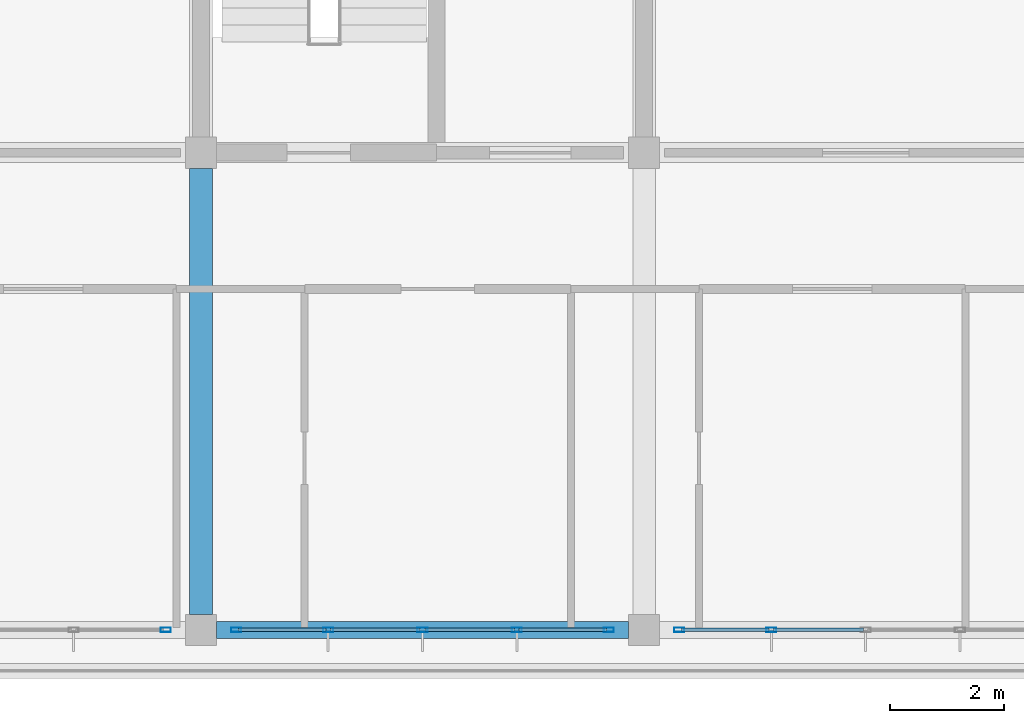
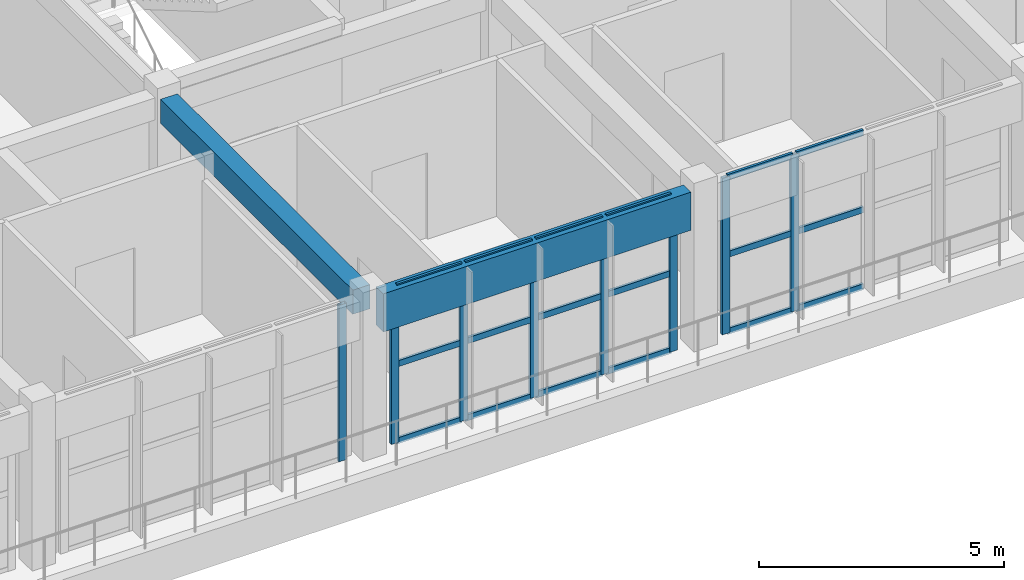
# One storey, part 13 of 44: 26 members, 2 beams, 3 elements without a shape of their own.
"""IFC4 building model written with IfcOpenShell, lengths in metres."""

from ifc_helpers import new_model, si_unit, direction, frame, origin, origin_2d, place, context, subcontext, project, spatial, rectangle, hollow_rectangle, extrude, material, layer, layer_set, material_profile, profile_set, type_object, element, aggregate, save


model = new_model("IFC4")

# Units and contexts
model_context = context("Model", 3, precision=1e-05, world=origin(), true_north=direction((0.0, 1.0)))
body_context = subcontext(model_context, "Body", "Model", "MODEL_VIEW")
ifc_project = project(units=[si_unit("LENGTHUNIT", "METRE"), si_unit("AREAUNIT", "SQUARE_METRE"), si_unit("VOLUMEUNIT", "CUBIC_METRE"), si_unit("PLANEANGLEUNIT", "RADIAN"), si_unit("MASSUNIT", "GRAM", prefix="KILO")], contexts=[model_context])

# Site, building, storey
site_placement = place(None, origin())
site = spatial("IfcSite", under=ifc_project, at=site_placement, CompositionType="ELEMENT")
building_placement = place(site_placement, origin())
building = spatial("IfcBuilding", under=site, at=building_placement, Name="Zizhar Promenade General Hospital", CompositionType="ELEMENT")
storey_placement = place(building_placement, frame((0.0, 0.0, 34.800048828125)))
storey = spatial("IfcBuildingStorey", under=building, at=storey_placement, Name="L08", CompositionType="ELEMENT", Elevation=34.800048828125)

# Beams
ifc_material_1 = material(Name="Precast concrete C40/50", Category="concrete")
ifc_material_profile_1 = material_profile(ifc_material_1, rectangle(XDim=0.300048828125, YDim=0.949951171875, at=origin_2d()))
ifc_profile_set_1 = profile_set([ifc_material_profile_1], Name="Precast concrete C40/50")
beam_type_1 = type_object("IfcBeamType", Name="BM-PC-BAND950", PredefinedType="SPANDREL", material=ifc_profile_set_1)
beam_1_placement = place(storey_placement, frame((78.27490234375, 0.0, 3.43505859375), z_axis=(1.0, 0.0, 0.0), x_axis=(0.0, 1.0, 0.0)))
element("IfcBeam", 1, at=beam_1_placement, inside=storey, type_object=beam_type_1, Name="Grid Beam X L08 (10-0)", PredefinedType="SPANDREL", context=body_context, shape_type="SweptSolid", body=[
    extrude(rectangle(XDim=0.300048828125, YDim=0.949951171875, at=origin_2d()), origin(), (0.0, 0.0, 1.0), 7.25),
])
ifc_material_2 = material(Name="Concrete C35/45", Category="concrete")
ifc_material_profile_2 = material_profile(ifc_material_2, rectangle(XDim=0.39990234375, YDim=0.60009765625, at=origin_2d()))
ifc_profile_set_2 = profile_set([ifc_material_profile_2], Name="Concrete C35/45")
beam_type_2 = type_object("IfcBeamType", Name="BM-RC-400x600", PredefinedType="JOIST", material=ifc_profile_set_2)
beam_2_placement = place(storey_placement, frame((78.0, 0.27490234375, 3.60986328125), z_axis=(0.0, 1.0, 0.0), x_axis=(-1.0, 0.0, 0.0)))
element("IfcBeam", 2, at=beam_2_placement, inside=storey, type_object=beam_type_2, Name="Grid Beam Y L08 (10-0)", PredefinedType="JOIST", context=body_context, shape_type="SweptSolid", body=[
    extrude(rectangle(XDim=0.39990234375, YDim=0.60009765625, at=origin_2d()), origin(), (0.0, 0.0, 1.0), 7.85009765625),
])

# Curtain wall, members
ifc_material_3 = material(Name="Anodised aluminium 6063-T6 and low-E glass", Category="aluminium")
ifc_layer = layer(ifc_material_3, 0.159912109375)
ifc_layer_set = layer_set([ifc_layer], Name="Anodised aluminium 6063-T6 and low-E glass")
curtain_wall_type = type_object("IfcCurtainWallType", Name="CW-WARD-RIB", PredefinedType="NOTDEFINED", material=ifc_layer_set)
curtain_wall_1_placement = place(storey_placement, origin())
curtain_wall_1 = element("IfcCurtainWall", 3, at=curtain_wall_1_placement, inside=storey, type_object=curtain_wall_type, Name="Ward Ribbon Curtain Wall L08-17-1", PredefinedType="NOTDEFINED")
ifc_material_4 = material(Name="Anodised aluminium 6063-T6", Category="aluminium")
ifc_material_profile_3 = material_profile(ifc_material_4, hollow_rectangle(XDim=0.080078125, YDim=0.179931640625, WallThickness=0.0048828125, at=origin_2d()))
ifc_profile_set_3 = profile_set([ifc_material_profile_3], Name="Anodised aluminium 6063-T6")
member_type_1 = type_object("IfcMemberType", Name="CWM-ALU-180x80", PredefinedType="MULLION", material=ifc_profile_set_3)
member_1_placement = place(storey_placement, frame((88.0400390625, 0.0, 0.0), z_axis=(0.0, 0.0, 1.0), x_axis=(0.0, -1.0, 0.0)))
member_1 = element("IfcMember", 4, at=member_1_placement, type_object=member_type_1, Name="CW-13 mullion 4", PredefinedType="MULLION", context=body_context, shape_type="SweptSolid", body=[
    extrude(hollow_rectangle(XDim=0.080078125, YDim=0.179931640625, WallThickness=0.0048828125, at=origin_2d()), origin(), (0.0, 0.0, 1.0), 3.89990234375),
])
member_2_placement = place(storey_placement, frame((86.419921875, 0.0, 0.0), z_axis=(0.0, 0.0, 1.0), x_axis=(0.0, -1.0, 0.0)))
member_2 = element("IfcMember", 5, at=member_2_placement, type_object=member_type_1, Name="CW-13 mullion 5", PredefinedType="MULLION", context=body_context, shape_type="SweptSolid", body=[
    extrude(hollow_rectangle(XDim=0.080078125, YDim=0.179931640625, WallThickness=0.0048828125, at=origin_2d()), origin(), (0.0, 0.0, 1.0), 3.89990234375),
])

curtain_wall_2_placement = place(storey_placement, origin())
curtain_wall_2 = element("IfcCurtainWall", 6, at=curtain_wall_2_placement, inside=storey, type_object=curtain_wall_type, Name="Ward Ribbon Curtain Wall L08-17-2", PredefinedType="NOTDEFINED")
member_3_placement = place(storey_placement, frame((85.179931640625, 0.0, 0.0), z_axis=(0.0, 0.0, 1.0), x_axis=(0.0, -1.0, 0.0)))
member_3 = element("IfcMember", 7, at=member_3_placement, type_object=member_type_1, Name="CW-13 mullion 1", PredefinedType="MULLION", context=body_context, shape_type="SweptSolid", body=[
    extrude(hollow_rectangle(XDim=0.080078125, YDim=0.179931640625, WallThickness=0.0048828125, at=origin_2d()), origin(), (0.0, 0.0, 1.0), 3.89990234375),
])
member_4_placement = place(storey_placement, frame((83.56005859375, 0.0, 0.0), z_axis=(0.0, 0.0, 1.0), x_axis=(0.0, -1.0, 0.0)))
member_4 = element("IfcMember", 8, at=member_4_placement, type_object=member_type_1, Name="CW-13 mullion 2", PredefinedType="MULLION", context=body_context, shape_type="SweptSolid", body=[
    extrude(hollow_rectangle(XDim=0.080078125, YDim=0.179931640625, WallThickness=0.0048828125, at=origin_2d()), origin(), (0.0, 0.0, 1.0), 3.89990234375),
])
member_5_placement = place(storey_placement, frame((81.89990234375, 0.0, 0.0), z_axis=(0.0, 0.0, 1.0), x_axis=(0.0, -1.0, 0.0)))
member_5 = element("IfcMember", 9, at=member_5_placement, type_object=member_type_1, Name="CW-13 mullion 3", PredefinedType="MULLION", context=body_context, shape_type="SweptSolid", body=[
    extrude(hollow_rectangle(XDim=0.080078125, YDim=0.179931640625, WallThickness=0.0048828125, at=origin_2d()), origin(), (0.0, 0.0, 1.0), 3.89990234375),
])
member_6_placement = place(storey_placement, frame((80.239990234375, 0.0, 0.0), z_axis=(0.0, 0.0, 1.0), x_axis=(0.0, -1.0, 0.0)))
member_6 = element("IfcMember", 10, at=member_6_placement, type_object=member_type_1, Name="CW-13 mullion 4", PredefinedType="MULLION", context=body_context, shape_type="SweptSolid", body=[
    extrude(hollow_rectangle(XDim=0.080078125, YDim=0.179931640625, WallThickness=0.0048828125, at=origin_2d()), origin(), (0.0, 0.0, 1.0), 3.89990234375),
])
member_7_placement = place(storey_placement, frame((78.6201171875, 0.0, 0.0), z_axis=(0.0, 0.0, 1.0), x_axis=(0.0, -1.0, 0.0)))
member_7 = element("IfcMember", 11, at=member_7_placement, type_object=member_type_1, Name="CW-13 mullion 5", PredefinedType="MULLION", context=body_context, shape_type="SweptSolid", body=[
    extrude(hollow_rectangle(XDim=0.080078125, YDim=0.179931640625, WallThickness=0.0048828125, at=origin_2d()), origin(), (0.0, 0.0, 1.0), 3.89990234375),
])

# Curtain wall, member
curtain_wall_3_placement = place(storey_placement, origin())
curtain_wall_3 = element("IfcCurtainWall", 12, at=curtain_wall_3_placement, inside=storey, type_object=curtain_wall_type, Name="Ward Ribbon Curtain Wall L08-17-3", PredefinedType="NOTDEFINED")
member_8_placement = place(storey_placement, frame((77.3798828125, 0.0, 0.0), z_axis=(0.0, 0.0, 1.0), x_axis=(0.0, -1.0, 0.0)))
member_8 = element("IfcMember", 13, at=member_8_placement, type_object=member_type_1, Name="CW-13 mullion 1", PredefinedType="MULLION", context=body_context, shape_type="SweptSolid", body=[
    extrude(hollow_rectangle(XDim=0.080078125, YDim=0.179931640625, WallThickness=0.0048828125, at=origin_2d()), origin(), (0.0, 0.0, 1.0), 3.89990234375),
])
aggregate(curtain_wall_3, [member_8])

# Member
ifc_material_5 = material(Name="Anodised aluminium 6063-T6", Category="aluminium")
ifc_material_profile_4 = material_profile(ifc_material_5, hollow_rectangle(XDim=0.06005859375, YDim=0.14990234375, WallThickness=0.00390625, at=origin_2d()))
ifc_profile_set_4 = profile_set([ifc_material_profile_4], Name="Anodised aluminium 6063-T6")
member_type_2 = type_object("IfcMemberType", Name="CWT-ALU-150x60", PredefinedType="USERDEFINED", material=ifc_profile_set_4)
member_9_placement = place(storey_placement, frame((89.659912109375, 0.0, 0.030029296875), z_axis=(-1.0, 0.0, 0.0), x_axis=(0.0, -1.0, 0.0)))
member_9 = element("IfcMember", 14, at=member_9_placement, type_object=member_type_2, Name="CW-13 transom 3.1", ObjectType="TRANSOM", PredefinedType="USERDEFINED", context=body_context, shape_type="SweptSolid", body=[
    extrude(hollow_rectangle(XDim=0.06005859375, YDim=0.14990234375, WallThickness=0.00390625, at=origin_2d()), origin(), (0.0, 0.0, 1.0), 1.579833984375),
])

member_10_placement = place(storey_placement, frame((89.659912109375, 0.0, 1.949951171875), z_axis=(-1.0, 0.0, 0.0), x_axis=(0.0, -1.0, 0.0)))
member_10 = element("IfcMember", 15, at=member_10_placement, type_object=member_type_2, Name="CW-13 transom 3.2", ObjectType="TRANSOM", PredefinedType="USERDEFINED", context=body_context, shape_type="SweptSolid", body=[
    extrude(hollow_rectangle(XDim=0.06005859375, YDim=0.14990234375, WallThickness=0.00390625, at=origin_2d()), origin(), (0.0, 0.0, 1.0), 1.579833984375),
])

member_11_placement = place(storey_placement, frame((89.659912109375, 0.0, 3.869873046875), z_axis=(-1.0, 0.0, 0.0), x_axis=(0.0, -1.0, 0.0)))
member_11 = element("IfcMember", 16, at=member_11_placement, type_object=member_type_2, Name="CW-13 transom 3.3", ObjectType="TRANSOM", PredefinedType="USERDEFINED", context=body_context, shape_type="SweptSolid", body=[
    extrude(hollow_rectangle(XDim=0.06005859375, YDim=0.14990234375, WallThickness=0.00390625, at=origin_2d()), origin(), (0.0, 0.0, 1.0), 1.579833984375),
])

member_12_placement = place(storey_placement, frame((88.0, 0.0, 0.030029296875), z_axis=(-1.0, 0.0, 0.0), x_axis=(0.0, -1.0, 0.0)))
member_12 = element("IfcMember", 17, at=member_12_placement, type_object=member_type_2, Name="CW-13 transom 4.1", ObjectType="TRANSOM", PredefinedType="USERDEFINED", context=body_context, shape_type="SweptSolid", body=[
    extrude(hollow_rectangle(XDim=0.06005859375, YDim=0.14990234375, WallThickness=0.00390625, at=origin_2d()), origin(), (0.0, 0.0, 1.0), 1.5400390625),
])

member_13_placement = place(storey_placement, frame((88.0, 0.0, 1.949951171875), z_axis=(-1.0, 0.0, 0.0), x_axis=(0.0, -1.0, 0.0)))
member_13 = element("IfcMember", 18, at=member_13_placement, type_object=member_type_2, Name="CW-13 transom 4.2", ObjectType="TRANSOM", PredefinedType="USERDEFINED", context=body_context, shape_type="SweptSolid", body=[
    extrude(hollow_rectangle(XDim=0.06005859375, YDim=0.14990234375, WallThickness=0.00390625, at=origin_2d()), origin(), (0.0, 0.0, 1.0), 1.5400390625),
])

member_14_placement = place(storey_placement, frame((88.0, 0.0, 3.869873046875), z_axis=(-1.0, 0.0, 0.0), x_axis=(0.0, -1.0, 0.0)))
member_14 = element("IfcMember", 19, at=member_14_placement, type_object=member_type_2, Name="CW-13 transom 4.3", ObjectType="TRANSOM", PredefinedType="USERDEFINED", context=body_context, shape_type="SweptSolid", body=[
    extrude(hollow_rectangle(XDim=0.06005859375, YDim=0.14990234375, WallThickness=0.00390625, at=origin_2d()), origin(), (0.0, 0.0, 1.0), 1.5400390625),
])

aggregate(curtain_wall_1, [member_1, member_2, member_9, member_10, member_11, member_12, member_13, member_14])

member_15_placement = place(storey_placement, frame((85.139892578125, 0.0, 0.030029296875), z_axis=(-1.0, 0.0, 0.0), x_axis=(0.0, -1.0, 0.0)))
member_15 = element("IfcMember", 20, at=member_15_placement, type_object=member_type_2, Name="CW-13 transom 1.1", ObjectType="TRANSOM", PredefinedType="USERDEFINED", context=body_context, shape_type="SweptSolid", body=[
    extrude(hollow_rectangle(XDim=0.06005859375, YDim=0.14990234375, WallThickness=0.00390625, at=origin_2d()), origin(), (0.0, 0.0, 1.0), 1.539794921875),
])

member_16_placement = place(storey_placement, frame((85.139892578125, 0.0, 1.949951171875), z_axis=(-1.0, 0.0, 0.0), x_axis=(0.0, -1.0, 0.0)))
member_16 = element("IfcMember", 21, at=member_16_placement, type_object=member_type_2, Name="CW-13 transom 1.2", ObjectType="TRANSOM", PredefinedType="USERDEFINED", context=body_context, shape_type="SweptSolid", body=[
    extrude(hollow_rectangle(XDim=0.06005859375, YDim=0.14990234375, WallThickness=0.00390625, at=origin_2d()), origin(), (0.0, 0.0, 1.0), 1.539794921875),
])

member_17_placement = place(storey_placement, frame((85.139892578125, 0.0, 3.869873046875), z_axis=(-1.0, 0.0, 0.0), x_axis=(0.0, -1.0, 0.0)))
member_17 = element("IfcMember", 22, at=member_17_placement, type_object=member_type_2, Name="CW-13 transom 1.3", ObjectType="TRANSOM", PredefinedType="USERDEFINED", context=body_context, shape_type="SweptSolid", body=[
    extrude(hollow_rectangle(XDim=0.06005859375, YDim=0.14990234375, WallThickness=0.00390625, at=origin_2d()), origin(), (0.0, 0.0, 1.0), 1.539794921875),
])

member_18_placement = place(storey_placement, frame((83.52001953125, 0.0, 0.030029296875), z_axis=(-1.0, 0.0, 0.0), x_axis=(0.0, -1.0, 0.0)))
member_18 = element("IfcMember", 23, at=member_18_placement, type_object=member_type_2, Name="CW-13 transom 2.1", ObjectType="TRANSOM", PredefinedType="USERDEFINED", context=body_context, shape_type="SweptSolid", body=[
    extrude(hollow_rectangle(XDim=0.06005859375, YDim=0.14990234375, WallThickness=0.00390625, at=origin_2d()), origin(), (0.0, 0.0, 1.0), 1.580078125),
])

member_19_placement = place(storey_placement, frame((83.52001953125, 0.0, 1.949951171875), z_axis=(-1.0, 0.0, 0.0), x_axis=(0.0, -1.0, 0.0)))
member_19 = element("IfcMember", 24, at=member_19_placement, type_object=member_type_2, Name="CW-13 transom 2.2", ObjectType="TRANSOM", PredefinedType="USERDEFINED", context=body_context, shape_type="SweptSolid", body=[
    extrude(hollow_rectangle(XDim=0.06005859375, YDim=0.14990234375, WallThickness=0.00390625, at=origin_2d()), origin(), (0.0, 0.0, 1.0), 1.580078125),
])

member_20_placement = place(storey_placement, frame((83.52001953125, 0.0, 3.869873046875), z_axis=(-1.0, 0.0, 0.0), x_axis=(0.0, -1.0, 0.0)))
member_20 = element("IfcMember", 25, at=member_20_placement, type_object=member_type_2, Name="CW-13 transom 2.3", ObjectType="TRANSOM", PredefinedType="USERDEFINED", context=body_context, shape_type="SweptSolid", body=[
    extrude(hollow_rectangle(XDim=0.06005859375, YDim=0.14990234375, WallThickness=0.00390625, at=origin_2d()), origin(), (0.0, 0.0, 1.0), 1.580078125),
])

member_21_placement = place(storey_placement, frame((81.860107421875, 0.0, 0.030029296875), z_axis=(-1.0, 0.0, 0.0), x_axis=(0.0, -1.0, 0.0)))
member_21 = element("IfcMember", 26, at=member_21_placement, type_object=member_type_2, Name="CW-13 transom 3.1", ObjectType="TRANSOM", PredefinedType="USERDEFINED", context=body_context, shape_type="SweptSolid", body=[
    extrude(hollow_rectangle(XDim=0.06005859375, YDim=0.14990234375, WallThickness=0.00390625, at=origin_2d()), origin(), (0.0, 0.0, 1.0), 1.580078125),
])

member_22_placement = place(storey_placement, frame((81.860107421875, 0.0, 1.949951171875), z_axis=(-1.0, 0.0, 0.0), x_axis=(0.0, -1.0, 0.0)))
member_22 = element("IfcMember", 27, at=member_22_placement, type_object=member_type_2, Name="CW-13 transom 3.2", ObjectType="TRANSOM", PredefinedType="USERDEFINED", context=body_context, shape_type="SweptSolid", body=[
    extrude(hollow_rectangle(XDim=0.06005859375, YDim=0.14990234375, WallThickness=0.00390625, at=origin_2d()), origin(), (0.0, 0.0, 1.0), 1.580078125),
])

member_23_placement = place(storey_placement, frame((81.860107421875, 0.0, 3.869873046875), z_axis=(-1.0, 0.0, 0.0), x_axis=(0.0, -1.0, 0.0)))
member_23 = element("IfcMember", 28, at=member_23_placement, type_object=member_type_2, Name="CW-13 transom 3.3", ObjectType="TRANSOM", PredefinedType="USERDEFINED", context=body_context, shape_type="SweptSolid", body=[
    extrude(hollow_rectangle(XDim=0.06005859375, YDim=0.14990234375, WallThickness=0.00390625, at=origin_2d()), origin(), (0.0, 0.0, 1.0), 1.580078125),
])

member_24_placement = place(storey_placement, frame((80.199951171875, 0.0, 0.030029296875), z_axis=(-1.0, 0.0, 0.0), x_axis=(0.0, -1.0, 0.0)))
member_24 = element("IfcMember", 29, at=member_24_placement, type_object=member_type_2, Name="CW-13 transom 4.1", ObjectType="TRANSOM", PredefinedType="USERDEFINED", context=body_context, shape_type="SweptSolid", body=[
    extrude(hollow_rectangle(XDim=0.06005859375, YDim=0.14990234375, WallThickness=0.00390625, at=origin_2d()), origin(), (0.0, 0.0, 1.0), 1.5400390625),
])

member_25_placement = place(storey_placement, frame((80.199951171875, 0.0, 1.949951171875), z_axis=(-1.0, 0.0, 0.0), x_axis=(0.0, -1.0, 0.0)))
member_25 = element("IfcMember", 30, at=member_25_placement, type_object=member_type_2, Name="CW-13 transom 4.2", ObjectType="TRANSOM", PredefinedType="USERDEFINED", context=body_context, shape_type="SweptSolid", body=[
    extrude(hollow_rectangle(XDim=0.06005859375, YDim=0.14990234375, WallThickness=0.00390625, at=origin_2d()), origin(), (0.0, 0.0, 1.0), 1.5400390625),
])

member_26_placement = place(storey_placement, frame((80.199951171875, 0.0, 3.869873046875), z_axis=(-1.0, 0.0, 0.0), x_axis=(0.0, -1.0, 0.0)))
member_26 = element("IfcMember", 31, at=member_26_placement, type_object=member_type_2, Name="CW-13 transom 4.3", ObjectType="TRANSOM", PredefinedType="USERDEFINED", context=body_context, shape_type="SweptSolid", body=[
    extrude(hollow_rectangle(XDim=0.06005859375, YDim=0.14990234375, WallThickness=0.00390625, at=origin_2d()), origin(), (0.0, 0.0, 1.0), 1.5400390625),
])

aggregate(curtain_wall_2, [member_3, member_4, member_5, member_6, member_7, member_15, member_16, member_17, member_18, member_19, member_20, member_21, member_22, member_23, member_24, member_25, member_26])

save(model, "model.ifc")
